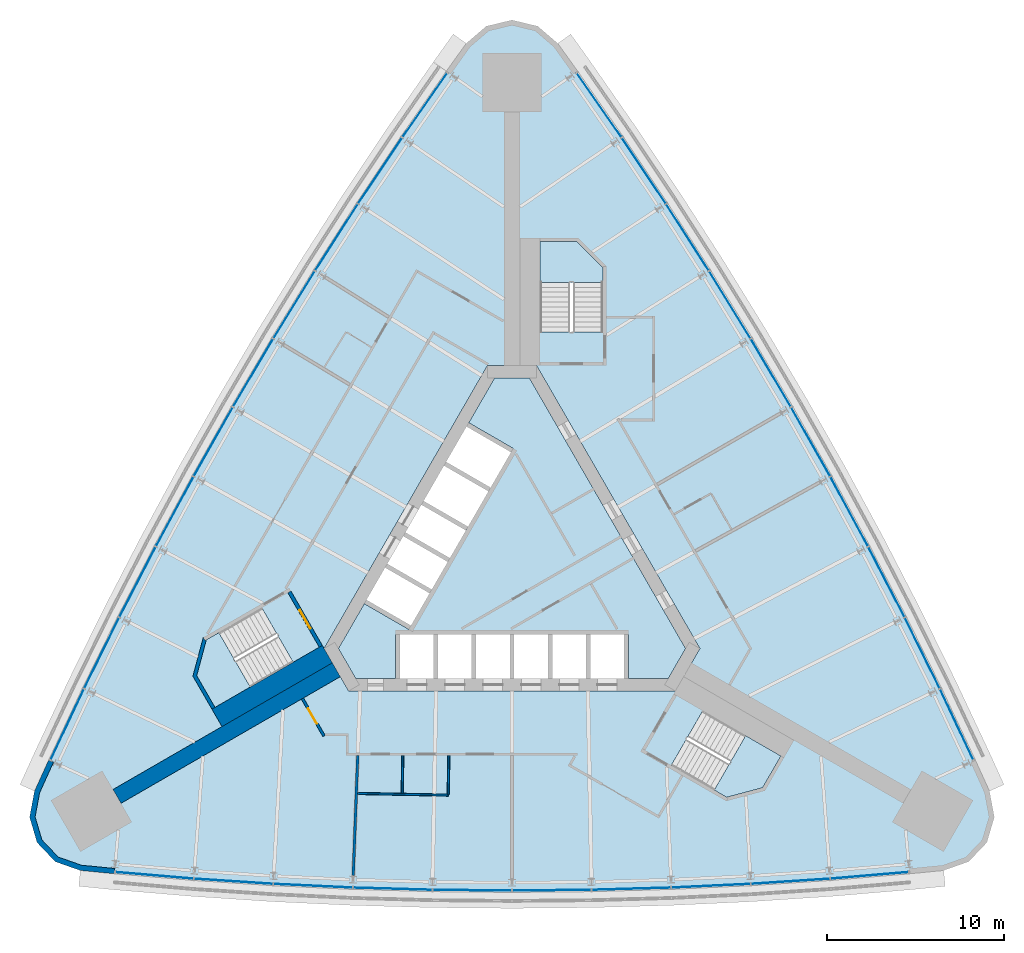
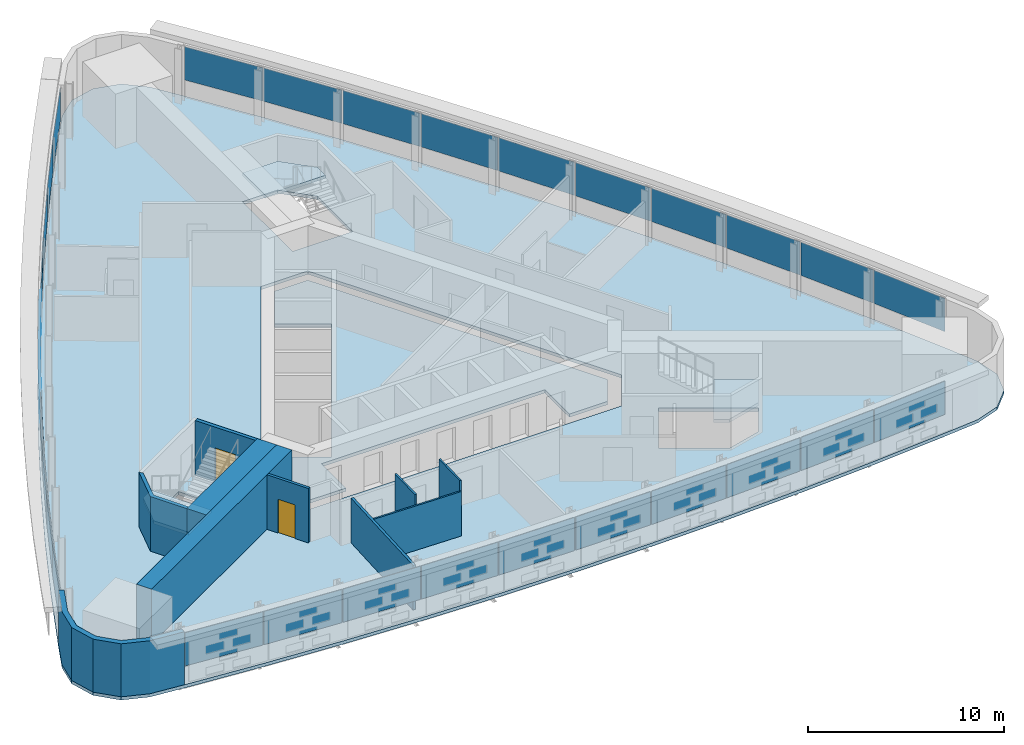
# One storey, part 9 of 14: 30 plates, 10 walls, 5 slabs, 2 doors, 2 openings, 6 elements without a shape of their own.
"""IFC4 building model written with IfcOpenShell, lengths in metres."""

from ifc_helpers import new_model, si_unit, direction, frame, frame_2d, origin, origin_2d, place, context, subcontext, project, spatial, polyline, rectangle, outline, extrude, material, layer, layer_set, type_object, element, fill, aggregate, save


model = new_model("IFC4")

# Units and contexts
model_context = context("Model", 3, precision=1e-05, world=origin(), true_north=direction((0.0, 1.0)))
body_context = subcontext(model_context, "Body", "Model", "MODEL_VIEW")
ifc_project = project(units=[si_unit("LENGTHUNIT", "METRE"), si_unit("AREAUNIT", "SQUARE_METRE"), si_unit("VOLUMEUNIT", "CUBIC_METRE"), si_unit("PLANEANGLEUNIT", "RADIAN"), si_unit("MASSUNIT", "GRAM", prefix="KILO")], contexts=[model_context])

# Site, building, storey
site_placement = place(None, origin())
site = spatial("IfcSite", under=ifc_project, at=site_placement, CompositionType="ELEMENT")
building_placement = place(site_placement, origin())
building = spatial("IfcBuilding", under=site, at=building_placement, Name="Noor Cloister Tower", CompositionType="ELEMENT")
storey_placement = place(building_placement, frame((0.0, 0.0, 38.39990234375)))
storey = spatial("IfcBuildingStorey", under=building, at=storey_placement, Name="L09", CompositionType="ELEMENT", Elevation=38.39990234375)

# Slabs
ifc_material_1 = material(Name="Concrete C40/50", Category="concrete")
ifc_layer_1 = layer(ifc_material_1, 0.199951171875)
ifc_layer_set_1 = layer_set([ifc_layer_1], Name="Core floor slab 200 C40/50")
slab_type_1 = type_object("IfcSlabType", Name="Core floor slab 200 C40/50", PredefinedType="FLOOR", material=ifc_layer_set_1)
slab_1_placement = place(storey_placement, frame((0.0, 0.0, -0.199951171875)))
element("IfcSlab", 1, at=slab_1_placement, inside=storey, type_object=slab_type_1, Name="Core floor L09", PredefinedType="FLOOR", context=body_context, shape_type="SweptSolid", body=[
    extrude(outline(polyline([(-6.574951171875, -6.228271484375), (-6.574951171875, -3.728271484375), (6.574951171875, -3.728271484375), (6.574951171875, -6.228271484375), (8.82470703125, -6.228271484375), (9.80615234375, -4.5283203125), (0.9814453125, 10.75634765625), (-0.9814453125, 10.75634765625), (-2.44384765625, 8.2236328125), (0.067626953125, 6.773681640625), (-5.832275390625, -3.4453125), (-8.34375, -1.995361328125), (-9.80615234375, -4.5283203125), (-8.82470703125, -6.228271484375), (-6.574951171875, -6.228271484375)])), origin(), (0.0, 0.0, 1.0), 0.199951171875),
])
ifc_material_2 = material(Name="Concrete C40/50", Category="concrete")
ifc_layer_2 = layer(ifc_material_2, 0.199951171875)
ifc_layer_set_2 = layer_set([ifc_layer_2], Name="Floor slab 200 C40/50")
slab_type_2 = type_object("IfcSlabType", Name="Floor slab 200 C40/50", PredefinedType="FLOOR", material=ifc_layer_set_2)
slab_2_placement = place(storey_placement, frame((0.0, 0.0, -0.199951171875)))
element("IfcSlab", 2, at=slab_2_placement, inside=storey, type_object=slab_type_2, Name="Floor slab L09", PredefinedType="FLOOR", context=body_context, shape_type="SweptSolid", body=[
    extrude(outline(polyline([(2.58642578125, 29.65234375), (1.45263671875, 30.625244140625), (0.0, 30.975341796875), (-1.45263671875, 30.625244140625), (-2.58642578125, 29.65234375), (-3.708984375, 28.084228515625), (-6.279052734375, 24.390380859375), (-8.779296875, 20.64892578125), (-11.209228515625, 16.861572265625), (-13.56787109375, 13.029296875), (-15.854248046875, 9.1533203125), (-18.067626953125, 5.2353515625), (-20.207275390625, 1.27685546875), (-22.272216796875, -2.721435546875), (-24.26220703125, -6.75732421875), (-26.176025390625, -10.830078125), (-26.972900390625, -12.586181640625), (-27.24853515625, -14.0546875), (-26.825439453125, -15.487548828125), (-25.7958984375, -16.570556640625), (-24.386474609375, -17.066162109375), (-22.467041015625, -17.254150390625), (-17.983154296875, -17.633056640625), (-13.492919921875, -17.927734375), (-8.997802734375, -18.13818359375), (-4.499755859375, -18.2646484375), (0.0, -18.306884765625), (4.499755859375, -18.2646484375), (8.997802734375, -18.13818359375), (13.492919921875, -17.927734375), (17.983154296875, -17.633056640625), (22.467041015625, -17.254150390625), (24.386474609375, -17.066162109375), (25.7958984375, -16.570556640625), (26.825439453125, -15.487548828125), (27.24853515625, -14.0546875), (26.972900390625, -12.586181640625), (26.176025390625, -10.830078125), (24.26220703125, -6.75732421875), (22.272216796875, -2.721435546875), (20.207275390625, 1.27685546875), (18.067626953125, 5.2353515625), (15.854248046875, 9.1533203125), (13.56787109375, 13.029296875), (11.209228515625, 16.861572265625), (8.779296875, 20.64892578125), (6.279052734375, 24.390380859375), (3.708984375, 28.084228515625), (2.58642578125, 29.65234375)]), holes=[polyline([(8.999755859375, -11.126220703125), (12.131591796875, -12.934326171875), (14.1572265625, -12.3916015625), (15.19091796875, -10.601318359375), (10.774658203125, -8.0517578125), (8.999755859375, -11.126220703125)]), polyline([(-17.81005859375, -6.064697265625), (-16.776611328125, -7.85498046875), (-12.3603515625, -5.305419921875), (-14.13525390625, -2.23095703125), (-16.662841796875, -3.690185546875), (-17.267333984375, -4.039306640625), (-17.81005859375, -6.064697265625)]), polyline([(-10.6142578125, -4.5283203125), (-9.228759765625, -6.92822265625), (9.228759765625, -6.92822265625), (10.6142578125, -4.5283203125), (1.3857421875, 11.456298828125), (-1.3857421875, 11.456298828125), (-10.6142578125, -4.5283203125)]), polyline([(3.65283203125, 18.456298828125), (1.585693359375, 18.456298828125), (1.585693359375, 13.35693359375), (5.135498046875, 13.35693359375), (5.135498046875, 16.9736328125), (3.65283203125, 18.456298828125)])]), origin(), (0.0, 0.0, 1.0), 0.199951171875),
])

# Curtain wall, plates
ifc_material_3 = material(Name="Aluminium 6063-T6 anodised", Category="aluminium")
curtain_wall_type = type_object("IfcCurtainWallType", Name="Ribbon curtain wall, lower tower CW1", PredefinedType="NOTDEFINED", material=ifc_material_3)
curtain_wall_1_placement = place(storey_placement, origin())
curtain_wall_1 = element("IfcCurtainWall", 3, at=curtain_wall_1_placement, inside=storey, type_object=curtain_wall_type, Name="CW1 L09 NW run 1", PredefinedType="NOTDEFINED")
ifc_material_4 = material(Name="Clear laminated glass 2 x 8 mm", Category="glass")
ifc_layer_3 = layer(ifc_material_4, 0.028076171875)
ifc_layer_set_3 = layer_set([ifc_layer_3], Name="Glass panel CW1")
plate_type = type_object("IfcPlateType", Name="Glass panel CW1", PredefinedType="CURTAIN_PANEL", material=ifc_layer_set_3)
plate_1_placement = place(storey_placement, frame((-4.923095703125, 26.1640625, 1.08984375), z_axis=(0.0, 0.0, 1.0), x_axis=(-0.571122109742, -0.820865114232, 0.0)))
plate_1 = element("IfcPlate", 4, at=plate_1_placement, type_object=plate_type, Name="CW1 glass panel 1", PredefinedType="CURTAIN_PANEL", context=body_context, shape_type="SweptSolid", body=[
    extrude(rectangle(XDim=4.39892578125, YDim=0.028076171875, at=origin_2d()), origin(), (0.0, 0.0, 1.0), 2.070068359375),
])
plate_2_placement = place(storey_placement, frame((-7.446044921875, 22.464111328125, 1.08984375), z_axis=(0.0, 0.0, 1.0), x_axis=(-0.555650176411, -0.831416190277, 0.0)))
plate_2 = element("IfcPlate", 5, at=plate_2_placement, type_object=plate_type, Name="CW1 glass panel 2", PredefinedType="CURTAIN_PANEL", context=body_context, shape_type="SweptSolid", body=[
    extrude(rectangle(XDim=4.43798828125, YDim=0.028076171875, at=origin_2d()), origin(), (0.0, 0.0, 1.0), 2.070068359375),
])
plate_3_placement = place(storey_placement, frame((-9.91015625, 18.701171875, 1.08984375), z_axis=(0.0, 0.0, 1.0), x_axis=(-0.53998335858, -0.84167569316, 0.0)))
plate_3 = element("IfcPlate", 6, at=plate_3_placement, type_object=plate_type, Name="CW1 glass panel 3", PredefinedType="CURTAIN_PANEL", context=body_context, shape_type="SweptSolid", body=[
    extrude(rectangle(XDim=4.43798828125, YDim=0.028076171875, at=origin_2d()), origin(), (0.0, 0.0, 1.0), 2.070068359375),
])
plate_4_placement = place(storey_placement, frame((-12.303466796875, 14.89306640625, 1.08984375), z_axis=(0.0, 0.0, 1.0), x_axis=(-0.524127179896, -0.851640005691, 0.0)))
plate_4 = element("IfcPlate", 7, at=plate_4_placement, type_object=plate_type, Name="CW1 glass panel 4", PredefinedType="CURTAIN_PANEL", context=body_context, shape_type="SweptSolid", body=[
    extrude(rectangle(XDim=4.43798828125, YDim=0.028076171875, at=origin_2d()), origin(), (0.0, 0.0, 1.0), 2.070068359375),
])
plate_5_placement = place(storey_placement, frame((-14.624755859375, 11.04052734375, 1.08984375), z_axis=(0.0, 0.0, 1.0), x_axis=(-0.508087171671, -0.861305651893, 0.0)))
plate_5 = element("IfcPlate", 8, at=plate_5_placement, type_object=plate_type, Name="CW1 glass panel 5", PredefinedType="CURTAIN_PANEL", context=body_context, shape_type="SweptSolid", body=[
    extrude(rectangle(XDim=4.43798828125, YDim=0.028076171875, at=origin_2d()), origin(), (0.0, 0.0, 1.0), 2.070068359375),
])
plate_6_placement = place(storey_placement, frame((-16.873779296875, 7.145263671875, 1.08984375), z_axis=(0.0, 0.0, 1.0), x_axis=(-0.491868989127, -0.870669223951, 0.0)))
plate_6 = element("IfcPlate", 9, at=plate_6_placement, type_object=plate_type, Name="CW1 glass panel 6", PredefinedType="CURTAIN_PANEL", context=body_context, shape_type="SweptSolid", body=[
    extrude(rectangle(XDim=4.43798828125, YDim=0.028076171875, at=origin_2d()), origin(), (0.0, 0.0, 1.0), 2.070068359375),
])
plate_7_placement = place(storey_placement, frame((-19.04931640625, 3.20849609375, 1.08984375), z_axis=(0.0, 0.0, 1.0), x_axis=(-0.47547828986, -0.87972745545, 0.0)))
plate_7 = element("IfcPlate", 10, at=plate_7_placement, type_object=plate_type, Name="CW1 glass panel 7", PredefinedType="CURTAIN_PANEL", context=body_context, shape_type="SweptSolid", body=[
    extrude(rectangle(XDim=4.43798828125, YDim=0.028076171875, at=origin_2d()), origin(), (0.0, 0.0, 1.0), 2.070068359375),
])
plate_8_placement = place(storey_placement, frame((-21.15087890625, -0.768310546875, 1.08984375), z_axis=(0.0, 0.0, 1.0), x_axis=(-0.458920852734, -0.888477152731, 0.0)))
plate_8 = element("IfcPlate", 11, at=plate_8_placement, type_object=plate_type, Name="CW1 glass panel 8", PredefinedType="CURTAIN_PANEL", context=body_context, shape_type="SweptSolid", body=[
    extrude(rectangle(XDim=4.43798828125, YDim=0.028076171875, at=origin_2d()), origin(), (0.0, 0.0, 1.0), 2.070068359375),
])
plate_9_placement = place(storey_placement, frame((-23.177490234375, -4.78369140625, 1.08984375), z_axis=(0.0, 0.0, 1.0), x_axis=(-0.442202453692, -0.896915263528, 0.0)))
plate_9 = element("IfcPlate", 12, at=plate_9_placement, type_object=plate_type, Name="CW1 glass panel 9", PredefinedType="CURTAIN_PANEL", context=body_context, shape_type="SweptSolid", body=[
    extrude(rectangle(XDim=4.43798828125, YDim=0.028076171875, at=origin_2d()), origin(), (0.0, 0.0, 1.0), 2.070068359375),
])
plate_10_placement = place(storey_placement, frame((-25.120361328125, -8.818603515625, 1.08984375), z_axis=(0.0, 0.0, 1.0), x_axis=(-0.425328987134, -0.905038812816, 0.0)))
plate_10 = element("IfcPlate", 13, at=plate_10_placement, type_object=plate_type, Name="CW1 glass panel 10", PredefinedType="CURTAIN_PANEL", context=body_context, shape_type="SweptSolid", body=[
    extrude(rectangle(XDim=4.39892578125, YDim=0.028076171875, at=origin_2d()), origin(), (0.0, 0.0, 1.0), 2.070068359375),
])
aggregate(curtain_wall_1, [plate_1, plate_2, plate_3, plate_4, plate_5, plate_6, plate_7, plate_8, plate_9, plate_10])

curtain_wall_2_placement = place(storey_placement, origin())
curtain_wall_2 = element("IfcCurtainWall", 14, at=curtain_wall_2_placement, inside=storey, type_object=curtain_wall_type, Name="CW1 L09 S run 2", PredefinedType="NOTDEFINED")
plate_11_placement = place(storey_placement, frame((-20.197265625, -17.345458984375, 1.08984375), z_axis=(0.0, 0.0, 1.0), x_axis=(0.996451096877, -0.084173698584, 0.0)))
plate_11 = element("IfcPlate", 15, at=plate_11_placement, type_object=plate_type, Name="CW1 glass panel 1", PredefinedType="CURTAIN_PANEL", context=body_context, shape_type="SweptSolid", body=[
    extrude(rectangle(XDim=4.39892578125, YDim=0.028076171875, at=origin_2d()), origin(), (0.0, 0.0, 1.0), 2.070068359375),
])
plate_12_placement = place(storey_placement, frame((-15.7314453125, -17.680419921875, 1.08984375), z_axis=(0.0, 0.0, 1.0), x_axis=(0.997852630103, -0.065499073251, 0.0)))
plate_12 = element("IfcPlate", 16, at=plate_12_placement, type_object=plate_type, Name="CW1 glass panel 2", PredefinedType="CURTAIN_PANEL", context=body_context, shape_type="SweptSolid", body=[
    extrude(rectangle(XDim=4.43798828125, YDim=0.028076171875, at=origin_2d()), origin(), (0.0, 0.0, 1.0), 2.070068359375),
])
plate_13_placement = place(storey_placement, frame((-11.24072265625, -17.93310546875, 1.08984375), z_axis=(0.0, 0.0, 1.0), x_axis=(0.998904211315, -0.046801459571, 0.0)))
plate_13 = element("IfcPlate", 17, at=plate_13_placement, type_object=plate_type, Name="CW1 glass panel 3", PredefinedType="CURTAIN_PANEL", context=body_context, shape_type="SweptSolid", body=[
    extrude(rectangle(XDim=4.43798828125, YDim=0.028076171875, at=origin_2d()), origin(), (0.0, 0.0, 1.0), 2.070068359375),
])
plate_14_placement = place(storey_placement, frame((-6.74609375, -18.1015625, 1.08984375), z_axis=(0.0, 0.0, 1.0), x_axis=(0.999605469756, -0.028087449758, 0.0)))
plate_14 = element("IfcPlate", 18, at=plate_14_placement, type_object=plate_type, Name="CW1 glass panel 4", PredefinedType="CURTAIN_PANEL", context=body_context, shape_type="SweptSolid", body=[
    extrude(rectangle(XDim=4.43798828125, YDim=0.028076171875, at=origin_2d()), origin(), (0.0, 0.0, 1.0), 2.070068359375),
])
plate_15_placement = place(storey_placement, frame((-2.2490234375, -18.185791015625, 1.08984375), z_axis=(0.0, 0.0, 1.0), x_axis=(0.999956160798, -0.009363572057, 0.0)))
plate_15 = element("IfcPlate", 19, at=plate_15_placement, type_object=plate_type, Name="CW1 glass panel 5", PredefinedType="CURTAIN_PANEL", context=body_context, shape_type="SweptSolid", body=[
    extrude(rectangle(XDim=4.43798828125, YDim=0.028076171875, at=origin_2d()), origin(), (0.0, 0.0, 1.0), 2.070068359375),
])
plate_16_placement = place(storey_placement, frame((2.2490234375, -18.185791015625, 1.08984375), z_axis=(0.0, 0.0, 1.0), x_axis=(0.999956160798, 0.009363572057, 0.0)))
plate_16 = element("IfcPlate", 20, at=plate_16_placement, type_object=plate_type, Name="CW1 glass panel 6", PredefinedType="CURTAIN_PANEL", context=body_context, shape_type="SweptSolid", body=[
    extrude(rectangle(XDim=4.43798828125, YDim=0.028076171875, at=origin_2d()), origin(), (0.0, 0.0, 1.0), 2.070068359375),
])
plate_17_placement = place(storey_placement, frame((6.74609375, -18.1015625, 1.08984375), z_axis=(0.0, 0.0, 1.0), x_axis=(0.999605469756, 0.028087449758, 0.0)))
plate_17 = element("IfcPlate", 21, at=plate_17_placement, type_object=plate_type, Name="CW1 glass panel 7", PredefinedType="CURTAIN_PANEL", context=body_context, shape_type="SweptSolid", body=[
    extrude(rectangle(XDim=4.43798828125, YDim=0.028076171875, at=origin_2d()), origin(), (0.0, 0.0, 1.0), 2.070068359375),
])
plate_18_placement = place(storey_placement, frame((11.24072265625, -17.93310546875, 1.08984375), z_axis=(0.0, 0.0, 1.0), x_axis=(0.998904211315, 0.046801459571, 0.0)))
plate_18 = element("IfcPlate", 22, at=plate_18_placement, type_object=plate_type, Name="CW1 glass panel 8", PredefinedType="CURTAIN_PANEL", context=body_context, shape_type="SweptSolid", body=[
    extrude(rectangle(XDim=4.43798828125, YDim=0.028076171875, at=origin_2d()), origin(), (0.0, 0.0, 1.0), 2.070068359375),
])
plate_19_placement = place(storey_placement, frame((15.7314453125, -17.680419921875, 1.08984375), z_axis=(0.0, 0.0, 1.0), x_axis=(0.997852630103, 0.065499073251, 0.0)))
plate_19 = element("IfcPlate", 23, at=plate_19_placement, type_object=plate_type, Name="CW1 glass panel 9", PredefinedType="CURTAIN_PANEL", context=body_context, shape_type="SweptSolid", body=[
    extrude(rectangle(XDim=4.43798828125, YDim=0.028076171875, at=origin_2d()), origin(), (0.0, 0.0, 1.0), 2.070068359375),
])
plate_20_placement = place(storey_placement, frame((20.197265625, -17.345458984375, 1.08984375), z_axis=(0.0, 0.0, 1.0), x_axis=(0.996451096877, 0.084173698584, 0.0)))
plate_20 = element("IfcPlate", 24, at=plate_20_placement, type_object=plate_type, Name="CW1 glass panel 10", PredefinedType="CURTAIN_PANEL", context=body_context, shape_type="SweptSolid", body=[
    extrude(rectangle(XDim=4.39892578125, YDim=0.028076171875, at=origin_2d()), origin(), (0.0, 0.0, 1.0), 2.070068359375),
])
aggregate(curtain_wall_2, [plate_11, plate_12, plate_13, plate_14, plate_15, plate_16, plate_17, plate_18, plate_19, plate_20])

curtain_wall_3_placement = place(storey_placement, origin())
curtain_wall_3 = element("IfcCurtainWall", 25, at=curtain_wall_3_placement, inside=storey, type_object=curtain_wall_type, Name="CW1 L09 NE run 3", PredefinedType="NOTDEFINED")
plate_21_placement = place(storey_placement, frame((25.120361328125, -8.818603515625, 1.08984375), z_axis=(0.0, 0.0, 1.0), x_axis=(-0.425328987134, 0.905038812816, 0.0)))
plate_21 = element("IfcPlate", 26, at=plate_21_placement, type_object=plate_type, Name="CW1 glass panel 1", PredefinedType="CURTAIN_PANEL", context=body_context, shape_type="SweptSolid", body=[
    extrude(rectangle(XDim=4.39892578125, YDim=0.028076171875, at=origin_2d()), origin(), (0.0, 0.0, 1.0), 2.070068359375),
])
plate_22_placement = place(storey_placement, frame((23.177490234375, -4.78369140625, 1.08984375), z_axis=(0.0, 0.0, 1.0), x_axis=(-0.442202453692, 0.896915263528, 0.0)))
plate_22 = element("IfcPlate", 27, at=plate_22_placement, type_object=plate_type, Name="CW1 glass panel 2", PredefinedType="CURTAIN_PANEL", context=body_context, shape_type="SweptSolid", body=[
    extrude(rectangle(XDim=4.43798828125, YDim=0.028076171875, at=origin_2d()), origin(), (0.0, 0.0, 1.0), 2.070068359375),
])
plate_23_placement = place(storey_placement, frame((21.15087890625, -0.768310546875, 1.08984375), z_axis=(0.0, 0.0, 1.0), x_axis=(-0.458920852734, 0.888477152731, 0.0)))
plate_23 = element("IfcPlate", 28, at=plate_23_placement, type_object=plate_type, Name="CW1 glass panel 3", PredefinedType="CURTAIN_PANEL", context=body_context, shape_type="SweptSolid", body=[
    extrude(rectangle(XDim=4.43798828125, YDim=0.028076171875, at=origin_2d()), origin(), (0.0, 0.0, 1.0), 2.070068359375),
])
plate_24_placement = place(storey_placement, frame((19.04931640625, 3.20849609375, 1.08984375), z_axis=(0.0, 0.0, 1.0), x_axis=(-0.47547828986, 0.87972745545, 0.0)))
plate_24 = element("IfcPlate", 29, at=plate_24_placement, type_object=plate_type, Name="CW1 glass panel 4", PredefinedType="CURTAIN_PANEL", context=body_context, shape_type="SweptSolid", body=[
    extrude(rectangle(XDim=4.43798828125, YDim=0.028076171875, at=origin_2d()), origin(), (0.0, 0.0, 1.0), 2.070068359375),
])
plate_25_placement = place(storey_placement, frame((16.873779296875, 7.145263671875, 1.08984375), z_axis=(0.0, 0.0, 1.0), x_axis=(-0.491868989127, 0.870669223951, 0.0)))
plate_25 = element("IfcPlate", 30, at=plate_25_placement, type_object=plate_type, Name="CW1 glass panel 5", PredefinedType="CURTAIN_PANEL", context=body_context, shape_type="SweptSolid", body=[
    extrude(rectangle(XDim=4.43798828125, YDim=0.028076171875, at=origin_2d()), origin(), (0.0, 0.0, 1.0), 2.070068359375),
])
plate_26_placement = place(storey_placement, frame((14.624755859375, 11.04052734375, 1.08984375), z_axis=(0.0, 0.0, 1.0), x_axis=(-0.508087171671, 0.861305651893, 0.0)))
plate_26 = element("IfcPlate", 31, at=plate_26_placement, type_object=plate_type, Name="CW1 glass panel 6", PredefinedType="CURTAIN_PANEL", context=body_context, shape_type="SweptSolid", body=[
    extrude(rectangle(XDim=4.43798828125, YDim=0.028076171875, at=origin_2d()), origin(), (0.0, 0.0, 1.0), 2.070068359375),
])
plate_27_placement = place(storey_placement, frame((12.303466796875, 14.89306640625, 1.08984375), z_axis=(0.0, 0.0, 1.0), x_axis=(-0.524127179896, 0.851640005691, 0.0)))
plate_27 = element("IfcPlate", 32, at=plate_27_placement, type_object=plate_type, Name="CW1 glass panel 7", PredefinedType="CURTAIN_PANEL", context=body_context, shape_type="SweptSolid", body=[
    extrude(rectangle(XDim=4.43798828125, YDim=0.028076171875, at=origin_2d()), origin(), (0.0, 0.0, 1.0), 2.070068359375),
])
plate_28_placement = place(storey_placement, frame((9.91015625, 18.701171875, 1.08984375), z_axis=(0.0, 0.0, 1.0), x_axis=(-0.53998335858, 0.84167569316, 0.0)))
plate_28 = element("IfcPlate", 33, at=plate_28_placement, type_object=plate_type, Name="CW1 glass panel 8", PredefinedType="CURTAIN_PANEL", context=body_context, shape_type="SweptSolid", body=[
    extrude(rectangle(XDim=4.43798828125, YDim=0.028076171875, at=origin_2d()), origin(), (0.0, 0.0, 1.0), 2.070068359375),
])
plate_29_placement = place(storey_placement, frame((7.446044921875, 22.464111328125, 1.08984375), z_axis=(0.0, 0.0, 1.0), x_axis=(-0.555650176411, 0.831416190277, 0.0)))
plate_29 = element("IfcPlate", 34, at=plate_29_placement, type_object=plate_type, Name="CW1 glass panel 9", PredefinedType="CURTAIN_PANEL", context=body_context, shape_type="SweptSolid", body=[
    extrude(rectangle(XDim=4.43798828125, YDim=0.028076171875, at=origin_2d()), origin(), (0.0, 0.0, 1.0), 2.070068359375),
])
plate_30_placement = place(storey_placement, frame((4.923095703125, 26.1640625, 1.08984375), z_axis=(0.0, 0.0, 1.0), x_axis=(-0.571122109742, 0.820865114232, 0.0)))
plate_30 = element("IfcPlate", 35, at=plate_30_placement, type_object=plate_type, Name="CW1 glass panel 10", PredefinedType="CURTAIN_PANEL", context=body_context, shape_type="SweptSolid", body=[
    extrude(rectangle(XDim=4.39892578125, YDim=0.028076171875, at=origin_2d()), origin(), (0.0, 0.0, 1.0), 2.070068359375),
])
aggregate(curtain_wall_3, [plate_21, plate_22, plate_23, plate_24, plate_25, plate_26, plate_27, plate_28, plate_29, plate_30])

# Stair, slab
ifc_material_5 = material(Name="Concrete C40/50", Category="concrete")
stair_type = type_object("IfcStairType", Name="Exit stair 22 risers", PredefinedType="HALF_TURN_STAIR", material=ifc_material_5)
stair_1_placement = place(storey_placement, origin())
stair_1 = element("IfcStair", 36, at=stair_1_placement, inside=storey, type_object=stair_type, Name="Exit stair ST1 L09", PredefinedType="HALF_TURN_STAIR")
ifc_material_6 = material(Name="Concrete C40/50", Category="concrete")
ifc_layer_4 = layer(ifc_material_6, 0.199951171875)
ifc_layer_set_4 = layer_set([ifc_layer_4], Name="Stair landing 200 C40/50")
slab_type_3 = type_object("IfcSlabType", Name="Stair landing 200 C40/50", PredefinedType="LANDING", material=ifc_layer_set_4)
slab_3_placement = place(storey_placement, frame((0.0, 0.0, 1.60009765625)))
slab_3 = element("IfcSlab", 37, at=slab_3_placement, type_object=slab_type_3, Name="ST1 landing 1", PredefinedType="LANDING", context=body_context, shape_type="SweptSolid", body=[
    extrude(outline(polyline([(5.135498046875, 16.15576171875), (5.135498046875, 16.9736328125), (3.65283203125, 18.456298828125), (1.585693359375, 18.456298828125), (1.585693359375, 16.15576171875), (5.135498046875, 16.15576171875)])), origin(), (0.0, 0.0, 1.0), 0.199951171875),
])
aggregate(stair_1, [slab_3])

stair_2_placement = place(storey_placement, origin())
stair_2 = element("IfcStair", 38, at=stair_2_placement, inside=storey, type_object=stair_type, Name="Exit stair ST2 L09", PredefinedType="HALF_TURN_STAIR")
slab_4_placement = place(storey_placement, frame((0.0, 0.0, 1.60009765625)))
slab_4 = element("IfcSlab", 39, at=slab_4_placement, type_object=slab_type_3, Name="ST2 landing 1", PredefinedType="LANDING", context=body_context, shape_type="SweptSolid", body=[
    extrude(outline(polyline([(-16.55908203125, -3.63037109375), (-17.267333984375, -4.039306640625), (-17.81005859375, -6.064697265625), (-16.776611328125, -7.85498046875), (-14.7841796875, -6.70458984375), (-16.55908203125, -3.63037109375)])), origin(), (0.0, 0.0, 1.0), 0.199951171875),
])
aggregate(stair_2, [slab_4])

stair_3_placement = place(storey_placement, origin())
stair_3 = element("IfcStair", 40, at=stair_3_placement, inside=storey, type_object=stair_type, Name="Exit stair ST3 L09", PredefinedType="HALF_TURN_STAIR")
slab_5_placement = place(storey_placement, frame((0.0, 0.0, 1.60009765625)))
slab_5 = element("IfcSlab", 41, at=slab_5_placement, type_object=slab_type_3, Name="ST3 landing 1", PredefinedType="LANDING", context=body_context, shape_type="SweptSolid", body=[
    extrude(outline(polyline([(11.423583984375, -12.525390625), (12.131591796875, -12.934326171875), (14.1572265625, -12.3916015625), (15.19091796875, -10.601318359375), (13.198486328125, -9.451171875), (11.423583984375, -12.525390625)])), origin(), (0.0, 0.0, 1.0), 0.199951171875),
])
aggregate(stair_3, [slab_5])

# Wall
ifc_material_7 = material(Name="Concrete C80/95", Category="concrete")
ifc_layer_5 = layer(ifc_material_7, 0.89990234375)
ifc_layer_set_5 = layer_set([ifc_layer_5], Name="Buttress wall 900 C80/95")
wall_type_1 = type_object("IfcWallType", Name="Buttress wall 900 C80/95", PredefinedType="SHEAR", material=ifc_layer_set_5)
wall_1_placement = place(storey_placement, frame((-9.921630859375, -5.728271484375, -0.199951171875), z_axis=(0.0, 0.0, 1.0), x_axis=(-0.866025331845, -0.500000124603, 0.0)))
element("IfcWall", 42, at=wall_1_placement, inside=storey, type_object=wall_type_1, Name="Buttress wall SW L09", PredefinedType="SHEAR", context=body_context, shape_type="SweptSolid", body=[
    extrude(rectangle(XDim=14.30859375, YDim=0.89990234375, at=frame_2d((7.154296875, 0.0))), origin(), (0.0, 0.0, 1.0), 3.60009765625),
])

# Wall, opening, door
ifc_material_8 = material(Name="Gypsum board partition on steel studs, 150 mm", Category="steel")
ifc_layer_6 = layer(ifc_material_8, 0.14990234375)
ifc_layer_set_6 = layer_set([ifc_layer_6], Name="Flat wall 150")
wall_type_2 = type_object("IfcWallType", Name="Flat wall 150", PredefinedType="PARTITIONING", material=ifc_layer_set_6)
wall_2_placement = place(storey_placement, frame((-10.6201171875, -9.46826171875, 0.0), z_axis=(0.0, 0.0, 1.0), x_axis=(-0.500045838785, 0.865998937132, 0.0)))
wall_2 = element("IfcWall", 43, at=wall_2_placement, inside=storey, type_object=wall_type_2, Name="Flat wall 150 L09 011", PredefinedType="PARTITIONING", context=body_context, shape_type="SweptSolid", body=[
    extrude(rectangle(XDim=2.439697265625, YDim=0.14990234375, at=frame_2d((1.2197265625, 0.0))), origin(), (0.0, 0.0, 1.0), 3.400146484375),
])
opening_1_placement = place(wall_2_placement, frame((0.794921875, 0.0, 0.0)))
opening_1 = element("IfcOpeningElement", 44, at=opening_1_placement, cuts=wall_2, Name="Opening L09-012", PredefinedType="OPENING", context=body_context, shape_type="SweptSolid", body=[
    extrude(rectangle(XDim=1.0, YDim=2.10009765625, at=frame_2d((0.5, 1.050048828125))), frame((0.0, 0.0849609375, 0.0), z_axis=(0.0, -1.0, 0.0), x_axis=(1.0, 0.0, 0.0)), (0.0, 0.0, 1.0), 0.169921875),
])
ifc_material_9 = material(Name="Timber door leaf with steel frame", Category="steel")
door_type_1 = type_object("IfcDoorType", Name="Interior door 1000 FD60", OperationType="NOTDEFINED", PredefinedType="DOOR", material=ifc_material_9)
door_1_placement = place(opening_1_placement, origin())
door_1 = element("IfcDoor", 45, at=door_1_placement, inside=storey, type_object=door_type_1, Name="Interior door 1000 L09-012", OperationType="SINGLE_SWING_RIGHT", OverallHeight=2.10009765625, OverallWidth=1.0, PredefinedType="DOOR", context=body_context, shape_type="SweptSolid", body=[
    extrude(rectangle(XDim=1.0, YDim=2.10009765625, at=frame_2d((0.5, 1.050048828125))), frame((0.0, 0.02490234375, 0.0), z_axis=(0.0, -1.0, 0.0), x_axis=(1.0, 0.0, 0.0)), (0.0, 0.0, 1.0), 0.050048828125),
])
fill(opening_1, door_1)

# Walls
wall_3_placement = place(storey_placement, frame((-8.968017578125, -17.3388671875, 0.0), z_axis=(0.0, 0.0, 1.0), x_axis=(0.037473660589, 0.999297615709, 0.0)))
element("IfcWall", 46, at=wall_3_placement, inside=storey, type_object=wall_type_2, Name="Flat wall 150 L09 020", PredefinedType="PARTITIONING", context=body_context, shape_type="SweptSolid", body=[
    extrude(rectangle(XDim=6.762451171875, YDim=0.14990234375, at=frame_2d((3.38134765625, 0.0))), origin(), (0.0, 0.0, 1.0), 2.778076171875),
])
ifc_material_10 = material(Name="Limestone", Category="masonry")
ifc_layer_7 = layer(ifc_material_10, 0.300048828125)
ifc_layer_set_7 = layer_set([ifc_layer_7], Name="Limestone cladding 300")
wall_type_3 = type_object("IfcWallType", Name="Limestone cladding 300", PredefinedType="NOTDEFINED", material=ifc_layer_set_7)
wall_4_placement = place(storey_placement, origin())
element("IfcWall", 47, at=wall_4_placement, inside=storey, type_object=wall_type_3, Name="Limestone pier cladding L09 1.1", PredefinedType="NOTDEFINED", context=body_context, shape_type="SweptSolid", body=[
    extrude(outline(polyline([(-26.176025390625, -10.830078125), (-26.972900390625, -12.586181640625), (-27.24853515625, -14.0546875), (-26.825439453125, -15.487548828125), (-25.7958984375, -16.570556640625), (-24.386474609375, -17.066162109375), (-22.467041015625, -17.254150390625), (-22.43798828125, -16.95556640625), (-24.321044921875, -16.77099609375), (-25.62841796875, -16.3115234375), (-26.55810546875, -15.333251953125), (-26.9404296875, -14.0390625), (-26.684814453125, -12.67724609375), (-25.90283203125, -10.9541015625), (-26.176025390625, -10.830078125)])), origin(), (0.0, 0.0, 1.0), 3.300048828125),
])
ifc_material_11 = material(Name="Gypsum board partition on steel studs, 100 mm", Category="steel")
ifc_layer_8 = layer(ifc_material_11, 0.10009765625)
ifc_layer_set_8 = layer_set([ifc_layer_8], Name="Partition 100")
wall_type_4 = type_object("IfcWallType", Name="Partition 100", PredefinedType="PARTITIONING", material=ifc_layer_set_8)
wall_5_placement = place(storey_placement, frame((-8.71875, -12.716796875, 0.0), z_axis=(0.0, 0.0, 1.0), x_axis=(0.999824773789, -0.018719554441, 0.0)))
element("IfcWall", 48, at=wall_5_placement, inside=storey, type_object=wall_type_4, Name="Partition 100 L09 023", PredefinedType="PARTITIONING", context=body_context, shape_type="SweptSolid", body=[
    extrude(rectangle(XDim=5.112548828125, YDim=0.10009765625, at=frame_2d((2.55615234375, 0.0))), origin(), (0.0, 0.0, 1.0), 2.76806640625),
])
wall_6_placement = place(storey_placement, frame((-3.606201171875, -12.762451171875, 0.0), z_axis=(0.0, 0.0, 1.0), x_axis=(0.018670568063, 0.999825689752, 0.0)))
element("IfcWall", 49, at=wall_6_placement, inside=storey, type_object=wall_type_4, Name="Partition 100 L09 027", PredefinedType="PARTITIONING", context=body_context, shape_type="SweptSolid", body=[
    extrude(rectangle(XDim=2.183837890625, YDim=0.10009765625, at=frame_2d((1.091796875, 0.0))), origin(), (0.0, 0.0, 1.0), 3.400146484375),
])
wall_7_placement = place(storey_placement, frame((-6.205810546875, -12.7138671875, 0.0), z_axis=(0.0, 0.0, 1.0), x_axis=(0.018638115979, 0.99982629523, 0.0)))
element("IfcWall", 50, at=wall_7_placement, inside=storey, type_object=wall_type_4, Name="Partition 100 L09 028", PredefinedType="PARTITIONING", context=body_context, shape_type="SweptSolid", body=[
    extrude(rectangle(XDim=2.13525390625, YDim=0.10009765625, at=frame_2d((1.067626953125, 0.0))), origin(), (0.0, 0.0, 1.0), 3.400146484375),
])
ifc_material_12 = material(Name="Concrete C80/95", Category="concrete")
ifc_layer_9 = layer(ifc_material_12, 1.135986328125)
ifc_layer_set_9 = layer_set([ifc_layer_9], Name="Stair enclosure wall 1136 C80/95")
wall_type_5 = type_object("IfcWallType", Name="Stair enclosure wall 1136 C80/95", PredefinedType="SHEAR", material=ifc_layer_set_9)
wall_8_placement = place(storey_placement, frame((-10.430419921875, -4.8466796875, -0.199951171875), z_axis=(0.0, 0.0, 1.0), x_axis=(-0.866018442252, -0.500012057535, 0.0)))
element("IfcWall", 51, at=wall_8_placement, inside=storey, type_object=wall_type_5, Name="Stair enclosure wall ST2 L09 riser side", PredefinedType="SHEAR", context=body_context, shape_type="SweptSolid", body=[
    extrude(rectangle(XDim=7.199951171875, YDim=1.1357421875, at=frame_2d((3.60009765625, 0.0))), origin(), (0.0, 0.0, 1.0), 3.60009765625),
])

# Wall, opening, door
ifc_material_13 = material(Name="Concrete C80/95", Category="concrete")
ifc_layer_10 = layer(ifc_material_13, 0.199951171875)
ifc_layer_set_10 = layer_set([ifc_layer_10], Name="Stair enclosure wall 200 C80/95")
wall_type_6 = type_object("IfcWallType", Name="Stair enclosure wall 200 C80/95", PredefinedType="SHEAR", material=ifc_layer_set_10)
wall_9_placement = place(storey_placement, frame((-12.575927734375, -1.33056640625, -0.199951171875), z_axis=(0.0, 0.0, 1.0), x_axis=(0.499970499736, -0.8660424351, 0.0)))
wall_9 = element("IfcWall", 52, at=wall_9_placement, inside=storey, type_object=wall_type_6, Name="Stair enclosure wall ST2 L09 near end", PredefinedType="SHEAR", context=body_context, shape_type="SweptSolid", body=[
    extrude(rectangle(XDim=3.550048828125, YDim=0.199951171875, at=frame_2d((1.77490234375, 0.0))), origin(), (0.0, 0.0, 1.0), 3.60009765625),
])
opening_2_placement = place(wall_9_placement, frame((1.175048828125, 0.0, 0.199951171875)))
opening_2 = element("IfcOpeningElement", 53, at=opening_2_placement, cuts=wall_9, Name="Opening L09-ST2L", PredefinedType="OPENING", context=body_context, shape_type="SweptSolid", body=[
    extrude(rectangle(XDim=1.199951171875, YDim=2.10009765625, at=frame_2d((0.60009765625, 1.050048828125))), frame((0.0, 0.10986328125, 0.0), z_axis=(0.0, -1.0, 0.0), x_axis=(1.0, 0.0, 0.0)), (0.0, 0.0, 1.0), 0.219970703125),
])
ifc_material_14 = material(Name="Steel", Category="steel")
door_type_2 = type_object("IfcDoorType", Name="Stair door 1200 x 2100 FD120", OperationType="SINGLE_SWING_LEFT", PredefinedType="DOOR", material=ifc_material_14)
door_2_placement = place(opening_2_placement, origin())
door_2 = element("IfcDoor", 54, at=door_2_placement, inside=storey, type_object=door_type_2, Name="Stair door ST2 L09", OperationType="SINGLE_SWING_RIGHT", OverallHeight=2.10009765625, OverallWidth=1.199951171875, PredefinedType="DOOR", context=body_context, shape_type="SweptSolid", body=[
    extrude(rectangle(XDim=1.199951171875, YDim=2.10009765625, at=frame_2d((0.60009765625, 1.050048828125))), frame((0.0, 0.02490234375, 0.0), z_axis=(0.0, -1.0, 0.0), x_axis=(1.0, 0.0, 0.0)), (0.0, 0.0, 1.0), 0.050048828125),
])
fill(opening_2, door_2)

# Wall
ifc_material_15 = material(Name="Concrete C80/95", Category="concrete")
wall_type_7 = type_object("IfcWallType", Name="Stair far end wall C80/95", PredefinedType="SHEAR", material=ifc_material_15)
wall_10_placement = place(storey_placement, frame((0.0, 0.0, -0.199951171875)))
element("IfcWall", 55, at=wall_10_placement, inside=storey, type_object=wall_type_7, Name="Stair enclosure wall ST2 L09 far end", PredefinedType="SHEAR", context=body_context, shape_type="SweptSolid", body=[
    extrude(outline(polyline([(-17.439208984375, -3.907470703125), (-18.024658203125, -6.093017578125), (-16.94970703125, -7.955078125), (-16.776611328125, -7.85498046875), (-17.81005859375, -6.064697265625), (-17.267333984375, -4.039306640625), (-17.339111328125, -4.08056640625), (-17.339111328125, -4.08056640625), (-17.339111328125, -4.08056640625), (-17.339111328125, -4.08056640625), (-17.339111328125, -4.08056640625), (-17.339111328125, -4.08056640625), (-17.339111328125, -4.08056640625), (-17.339111328125, -4.08056640625), (-17.339111328125, -4.08056640625), (-17.339111328125, -4.08056640625), (-17.339111328125, -4.08056640625), (-17.339111328125, -4.08056640625), (-17.339111328125, -4.08056640625), (-17.339111328125, -4.08056640625), (-17.339111328125, -4.08056640625), (-17.339111328125, -4.08056640625), (-17.339111328125, -4.08056640625), (-17.439208984375, -3.907470703125)])), origin(), (0.0, 0.0, 1.0), 3.60009765625),
])

save(model, "model.ifc")
